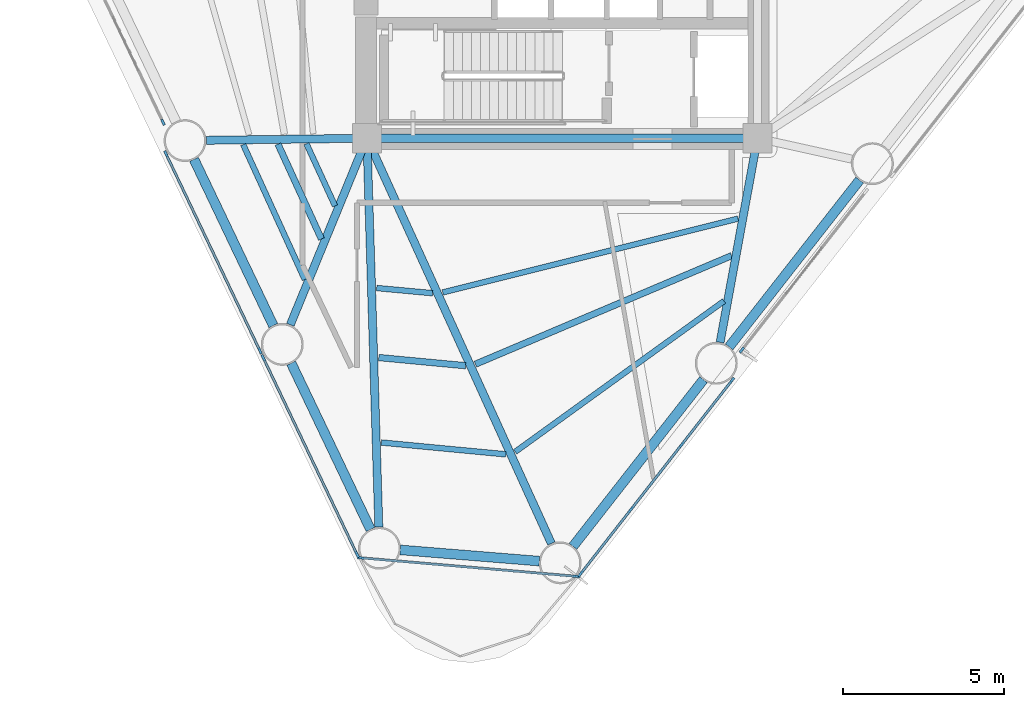
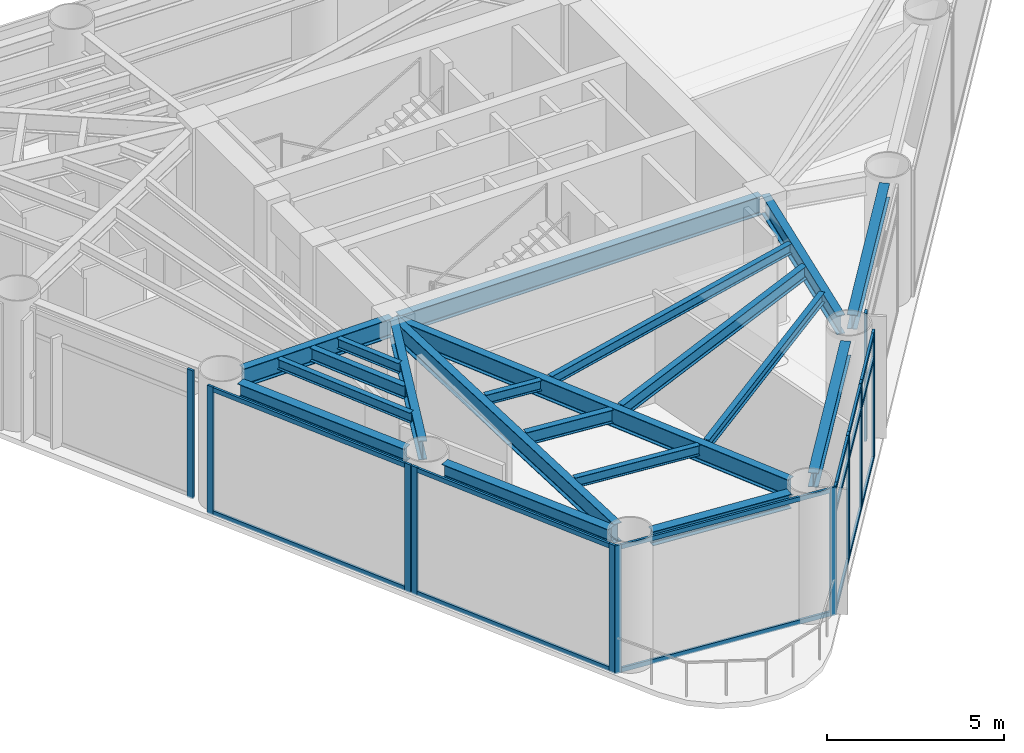
# One storey, part 2 of 11: 27 members, 20 beams, 6 elements without a shape of their own.
"""IFC4 building model written with IfcOpenShell, lengths in metres."""

from ifc_helpers import new_model, si_unit, direction, frame, origin, origin_2d, place, context, subcontext, project, spatial, rectangle, i_section, extrude, source, transform, mapped, material, layer, layer_set, material_profile, profile_set, type_object, element, aggregate, save


model = new_model("IFC4")

# Units and contexts
model_context = context("Model", 3, precision=1e-05, world=origin(), true_north=direction((0.0, 1.0)))
body_context = subcontext(model_context, "Body", "Model", "MODEL_VIEW")
ifc_project = project(units=[si_unit("LENGTHUNIT", "METRE"), si_unit("AREAUNIT", "SQUARE_METRE"), si_unit("VOLUMEUNIT", "CUBIC_METRE"), si_unit("PLANEANGLEUNIT", "RADIAN"), si_unit("MASSUNIT", "GRAM", prefix="KILO")], contexts=[model_context])

# Site, building, storey
site_placement = place(None, origin())
site = spatial("IfcSite", under=ifc_project, at=site_placement, CompositionType="ELEMENT")
building_placement = place(site_placement, origin())
building = spatial("IfcBuilding", under=site, at=building_placement, Name="Yunling Apex Tower", CompositionType="ELEMENT")
storey_placement = place(building_placement, frame((0.0, 0.0, 125.0)))
storey = spatial("IfcBuildingStorey", under=building, at=storey_placement, Name="L30", CompositionType="ELEMENT", Elevation=125.0)

# Beams
ifc_material_1 = material(Name="Steel Q355B", Category="steel")
ifc_material_profile_1 = material_profile(ifc_material_1, i_section(OverallWidth=0.25, OverallDepth=0.64990234375, WebThickness=0.011962890625, FlangeThickness=0.02001953125, FilletRadius=0.02392578125, at=origin_2d()))
ifc_profile_set_1 = profile_set([ifc_material_profile_1], Name="Steel Q355B")
beam_type_1 = type_object("IfcBeamType", Name="BG-PRI-4", PredefinedType="USERDEFINED", material=ifc_profile_set_1)
shared_shape_1 = source(origin(), body_context, "Body", "SweptSolid", [
    extrude(i_section(OverallWidth=0.25, OverallDepth=0.64990234375, WebThickness=0.011962890625, FlangeThickness=0.02001953125, FilletRadius=0.02392578125, at=origin_2d()), origin(), (0.0, 0.0, 1.0), 11.7998046875),
])
beam_1_placement = place(storey_placement, frame((-5.89990234375, -5.5, 3.9951171875), z_axis=(1.0, 0.0, 0.0), x_axis=(0.0, 1.0, 0.0)))
element("IfcBeam", 1, at=beam_1_placement, inside=storey, type_object=beam_type_1, Name="L30 Core Ring Tie Beam 1", ObjectType="GIRDER", PredefinedType="USERDEFINED", context=body_context, shape_type="MappedRepresentation", body=[
    mapped(shared_shape_1, transform((0.0, 0.0, 0.0), scale=1.0)),
])
ifc_material_profile_2 = material_profile(ifc_material_1, i_section(OverallWidth=0.300048828125, OverallDepth=0.489990234375, WebThickness=0.010986328125, FlangeThickness=0.01806640625, FilletRadius=0.02197265625, at=origin_2d()))
ifc_profile_set_2 = profile_set([ifc_material_profile_2], Name="Steel Q355B")
beam_type_2 = type_object("IfcBeamType", Name="BP-SPN-2", PredefinedType="SPANDREL", material=ifc_profile_set_2)
shared_shape_2 = source(origin(), body_context, "Body", "SweptSolid", [
    extrude(i_section(OverallWidth=0.300048828125, OverallDepth=0.489990234375, WebThickness=0.010986328125, FlangeThickness=0.01806640625, FilletRadius=0.02197265625, at=origin_2d()), origin(), (0.0, 0.0, 1.0), 6.562255859375),
])
for number, where, z_axis, x_axis, name in (
    (2, (0.332763671875, -18.147216796875, 4.074951171875), (0.616214963059, 0.787578008392, 0.0), (-0.787578008392, 0.616214963059, 0.0), "L30 Perimeter Spandrel Beam 1"),
    (3, (5.170166015625, -11.964599609375, 4.074951171875), (0.616214963059, 0.787578008392, 0.0), (-0.787578008392, 0.616214963059, 0.0), "L30 Perimeter Spandrel Beam 2"),
):
    element("IfcBeam", number, at=place(storey_placement, frame(where, z_axis=z_axis, x_axis=x_axis)), inside=storey, type_object=beam_type_2, Name=name, PredefinedType="SPANDREL", context=body_context, shape_type="MappedRepresentation", body=[
        mapped(shared_shape_2, transform((0.0, 0.0, 0.0), scale=1.0)),
    ])
shared_shape_3 = source(origin(), body_context, "Body", "SweptSolid", [
    extrude(i_section(OverallWidth=0.300048828125, OverallDepth=0.489990234375, WebThickness=0.010986328125, FlangeThickness=0.01806640625, FilletRadius=0.02197265625, at=origin_2d()), origin(), (0.0, 0.0, 1.0), 5.707763671875),
])
for number, where, z_axis, x_axis, name in (
    (4, (-11.407958984375, -6.15478515625, 4.074951171875), (0.430522919645, -0.902579645051, 0.0), (0.902579645051, 0.430522919645, 0.0), "L30 Perimeter Spandrel Beam 13"),
    (5, (-8.396240234375, -12.468994140625, 4.074951171875), (0.430522919645, -0.902579645051, 0.0), (0.902579645051, 0.430522919645, 0.0), "L30 Perimeter Spandrel Beam 14"),
):
    element("IfcBeam", number, at=place(storey_placement, frame(where, z_axis=z_axis, x_axis=x_axis)), inside=storey, type_object=beam_type_2, Name=name, PredefinedType="SPANDREL", context=body_context, shape_type="MappedRepresentation", body=[
        mapped(shared_shape_3, transform((0.0, 0.0, 0.0), scale=1.0)),
    ])
shared_shape_4 = source(origin(), body_context, "Body", "SweptSolid", [
    extrude(i_section(OverallWidth=0.300048828125, OverallDepth=0.489990234375, WebThickness=0.010986328125, FlangeThickness=0.01806640625, FilletRadius=0.02197265625, at=origin_2d()), origin(), (0.0, 0.0, 1.0), 4.328369140625),
])
beam_2_placement = place(storey_placement, frame((-5.02001953125, -18.25390625, 4.074951171875), z_axis=(0.996750747621, -0.08054779399, 0.0), x_axis=(0.08054779399, 0.996750747621, 0.0)))
element("IfcBeam", 6, at=beam_2_placement, inside=storey, type_object=beam_type_2, Name="L30 Perimeter Spandrel Beam 15", PredefinedType="SPANDREL", context=body_context, shape_type="MappedRepresentation", body=[
    mapped(shared_shape_4, transform((0.0, 0.0, 0.0), scale=1.0)),
])
shared_shape_5 = source(origin(), body_context, "Body", "SweptSolid", [
    extrude(i_section(OverallWidth=0.25, OverallDepth=0.64990234375, WebThickness=0.011962890625, FlangeThickness=0.02001953125, FilletRadius=0.02392578125, at=origin_2d()), origin(), (0.0, 0.0, 1.0), 13.714599609375),
])
beam_3_placement = place(storey_placement, frame((-0.33642578125, -18.0556640625, 3.9951171875), z_axis=(-0.414187834577, 0.910191429145, 0.0), x_axis=(-0.910191429145, -0.414187834577, 0.0)))
element("IfcBeam", 7, at=beam_3_placement, inside=storey, type_object=beam_type_1, Name="L30 Radial Primary Girder R01", ObjectType="GIRDER", PredefinedType="USERDEFINED", context=body_context, shape_type="MappedRepresentation", body=[
    mapped(shared_shape_5, transform((0.0, 0.0, 0.0), scale=1.0)),
])
shared_shape_6 = source(origin(), body_context, "Body", "SweptSolid", [
    extrude(i_section(OverallWidth=0.25, OverallDepth=0.64990234375, WebThickness=0.011962890625, FlangeThickness=0.02001953125, FilletRadius=0.02392578125, at=origin_2d()), origin(), (0.0, 0.0, 1.0), 6.349853515625),
])
beam_4_placement = place(storey_placement, frame((4.891845703125, -11.82470703125, 3.9951171875), z_axis=(0.18012699938, 0.983643362248, 0.0), x_axis=(-0.983643362248, 0.18012699938, 0.0)))
element("IfcBeam", 8, at=beam_4_placement, inside=storey, type_object=beam_type_1, Name="L30 Radial Primary Girder R02", ObjectType="GIRDER", PredefinedType="USERDEFINED", context=body_context, shape_type="MappedRepresentation", body=[
    mapped(shared_shape_6, transform((0.0, 0.0, 0.0), scale=1.0)),
])
shared_shape_7 = source(origin(), body_context, "Body", "SweptSolid", [
    extrude(i_section(OverallWidth=0.25, OverallDepth=0.64990234375, WebThickness=0.011962890625, FlangeThickness=0.02001953125, FilletRadius=0.02392578125, at=origin_2d()), origin(), (0.0, 0.0, 1.0), 4.89794921875),
])
beam_5_placement = place(storey_placement, frame((-11.02734375, -5.56494140625, 3.9951171875), z_axis=(0.999914718433, 0.0130597037, 0.0), x_axis=(-0.0130597037, 0.999914718433, 0.0)))
element("IfcBeam", 9, at=beam_5_placement, inside=storey, type_object=beam_type_1, Name="L30 Radial Primary Girder R13", ObjectType="GIRDER", PredefinedType="USERDEFINED", context=body_context, shape_type="MappedRepresentation", body=[
    mapped(shared_shape_7, transform((0.0, 0.0, 0.0), scale=1.0)),
])
shared_shape_8 = source(origin(), body_context, "Body", "SweptSolid", [
    extrude(i_section(OverallWidth=0.25, OverallDepth=0.64990234375, WebThickness=0.011962890625, FlangeThickness=0.02001953125, FilletRadius=0.02392578125, at=origin_2d()), origin(), (0.0, 0.0, 1.0), 6.16748046875),
])
beam_6_placement = place(storey_placement, frame((-8.423583984375, -11.279052734375, 3.9951171875), z_axis=(0.379933370098, 0.925013856267, 0.0), x_axis=(-0.925013856267, 0.379933370098, 0.0)))
element("IfcBeam", 10, at=beam_6_placement, inside=storey, type_object=beam_type_1, Name="L30 Radial Primary Girder R14", ObjectType="GIRDER", PredefinedType="USERDEFINED", context=body_context, shape_type="MappedRepresentation", body=[
    mapped(shared_shape_8, transform((0.0, 0.0, 0.0), scale=1.0)),
])
shared_shape_9 = source(origin(), body_context, "Body", "SweptSolid", [
    extrude(i_section(OverallWidth=0.25, OverallDepth=0.64990234375, WebThickness=0.011962890625, FlangeThickness=0.02001953125, FilletRadius=0.02392578125, at=origin_2d()), origin(), (0.0, 0.0, 1.0), 11.9697265625),
])
beam_7_placement = place(storey_placement, frame((-5.681884765625, -17.544189453125, 3.9951171875), z_axis=(-0.030554037514, 0.999533116406, 0.0), x_axis=(-0.999533116406, -0.030554037514, 0.0)))
element("IfcBeam", 11, at=beam_7_placement, inside=storey, type_object=beam_type_1, Name="L30 Radial Primary Girder R15", ObjectType="GIRDER", PredefinedType="USERDEFINED", context=body_context, shape_type="MappedRepresentation", body=[
    mapped(shared_shape_9, transform((0.0, 0.0, 0.0), scale=1.0)),
])
ifc_material_profile_3 = material_profile(ifc_material_1, i_section(OverallWidth=0.199951171875, OverallDepth=0.449951171875, WebThickness=0.009033203125, FlangeThickness=0.013916015625, FilletRadius=0.01806640625, at=origin_2d()))
ifc_profile_set_3 = profile_set([ifc_material_profile_3], Name="Steel Q355B")
beam_type_3 = type_object("IfcBeamType", Name="BS-SEC-3", PredefinedType="BEAM", material=ifc_profile_set_3)
shared_shape_10 = source(origin(), body_context, "Body", "SweptSolid", [
    extrude(i_section(OverallWidth=0.199951171875, OverallDepth=0.449951171875, WebThickness=0.009033203125, FlangeThickness=0.013916015625, FilletRadius=0.01806640625, at=origin_2d()), origin(), (0.0, 0.0, 1.0), 8.618896484375),
])
beam_8_placement = place(storey_placement, frame((-2.6884765625, -12.500732421875, 4.094970703125), z_axis=(0.920793969751, 0.390049311332, 0.0), x_axis=(-0.390049311332, 0.920793969751, 0.0)))
element("IfcBeam", 12, at=beam_8_placement, inside=storey, type_object=beam_type_3, Name="L30 Composite Floor Beam BS-1", PredefinedType="BEAM", context=body_context, shape_type="MappedRepresentation", body=[
    mapped(shared_shape_10, transform((0.0, 0.0, 0.0), scale=1.0)),
])
ifc_material_profile_4 = material_profile(ifc_material_1, i_section(OverallWidth=0.175048828125, OverallDepth=0.35009765625, WebThickness=0.007080078125, FlangeThickness=0.010986328125, FilletRadius=0.013916015625, at=origin_2d()))
ifc_profile_set_4 = profile_set([ifc_material_profile_4], Name="Steel Q355B")
beam_type_4 = type_object("IfcBeamType", Name="BJ-JST-1", PredefinedType="JOIST", material=ifc_profile_set_4)
shared_shape_11 = source(origin(), body_context, "Body", "SweptSolid", [
    extrude(i_section(OverallWidth=0.175048828125, OverallDepth=0.35009765625, WebThickness=0.007080078125, FlangeThickness=0.010986328125, FilletRadius=0.013916015625, at=origin_2d()), origin(), (0.0, 0.0, 1.0), 7.98046875),
])
beam_9_placement = place(storey_placement, frame((-1.45654296875, -15.2158203125, 4.14501953125), z_axis=(0.81075666384, 0.585383320602, 0.0), x_axis=(-0.585383320602, 0.81075666384, 0.0)))
element("IfcBeam", 13, at=beam_9_placement, inside=storey, type_object=beam_type_4, Name="L30 Composite Floor Joist BJ1-1", PredefinedType="JOIST", context=body_context, shape_type="MappedRepresentation", body=[
    mapped(shared_shape_11, transform((0.0, 0.0, 0.0), scale=1.0)),
])
shared_shape_12 = source(origin(), body_context, "Body", "SweptSolid", [
    extrude(i_section(OverallWidth=0.175048828125, OverallDepth=0.35009765625, WebThickness=0.007080078125, FlangeThickness=0.010986328125, FilletRadius=0.013916015625, at=origin_2d()), origin(), (0.0, 0.0, 1.0), 9.430419921875),
])
beam_10_placement = place(storey_placement, frame((-3.703125, -10.277587890625, 4.14501953125), z_axis=(0.970157726952, 0.242474709682, 0.0), x_axis=(-0.242474709682, 0.970157726952, 0.0)))
element("IfcBeam", 14, at=beam_10_placement, inside=storey, type_object=beam_type_4, Name="L30 Composite Floor Joist BJ3-1", PredefinedType="JOIST", context=body_context, shape_type="MappedRepresentation", body=[
    mapped(shared_shape_12, transform((0.0, 0.0, 0.0), scale=1.0)),
])
shared_shape_13 = source(origin(), body_context, "Body", "SweptSolid", [
    extrude(i_section(OverallWidth=0.199951171875, OverallDepth=0.449951171875, WebThickness=0.009033203125, FlangeThickness=0.013916015625, FilletRadius=0.01806640625, at=origin_2d()), origin(), (0.0, 0.0, 1.0), 3.234619140625),
])
beam_11_placement = place(storey_placement, frame((-8.805908203125, -5.682373046875, 4.094970703125), z_axis=(0.416337611841, -0.909210092864, 0.0), x_axis=(0.909210092864, 0.416337611841, 0.0)))
element("IfcBeam", 15, at=beam_11_placement, inside=storey, type_object=beam_type_3, Name="L30 Composite Floor Beam BS-13", PredefinedType="BEAM", context=body_context, shape_type="MappedRepresentation", body=[
    mapped(shared_shape_13, transform((0.0, 0.0, 0.0), scale=1.0)),
])
shared_shape_14 = source(origin(), body_context, "Body", "SweptSolid", [
    extrude(i_section(OverallWidth=0.175048828125, OverallDepth=0.35009765625, WebThickness=0.007080078125, FlangeThickness=0.010986328125, FilletRadius=0.013916015625, at=origin_2d()), origin(), (0.0, 0.0, 1.0), 4.596923828125),
])
beam_12_placement = place(storey_placement, frame((-9.883544921875, -5.696533203125, 4.14501953125), z_axis=(0.415258909569, -0.909703269217, 0.0), x_axis=(0.909703269217, 0.415258909569, 0.0)))
element("IfcBeam", 16, at=beam_12_placement, inside=storey, type_object=beam_type_4, Name="L30 Composite Floor Joist BJ1-13", PredefinedType="JOIST", context=body_context, shape_type="MappedRepresentation", body=[
    mapped(shared_shape_14, transform((0.0, 0.0, 0.0), scale=1.0)),
])
shared_shape_15 = source(origin(), body_context, "Body", "SweptSolid", [
    extrude(i_section(OverallWidth=0.175048828125, OverallDepth=0.35009765625, WebThickness=0.007080078125, FlangeThickness=0.010986328125, FilletRadius=0.013916015625, at=origin_2d()), origin(), (0.0, 0.0, 1.0), 2.1201171875),
])
beam_13_placement = place(storey_placement, frame((-7.924072265625, -5.670654296875, 4.14501953125), z_axis=(0.418101376265, -0.908400373825, 0.0), x_axis=(0.908400373825, 0.418101376265, 0.0)))
element("IfcBeam", 17, at=beam_13_placement, inside=storey, type_object=beam_type_4, Name="L30 Composite Floor Joist BJ3-13", PredefinedType="JOIST", context=body_context, shape_type="MappedRepresentation", body=[
    mapped(shared_shape_15, transform((0.0, 0.0, 0.0), scale=1.0)),
])
shared_shape_16 = source(origin(), body_context, "Body", "SweptSolid", [
    extrude(i_section(OverallWidth=0.199951171875, OverallDepth=0.449951171875, WebThickness=0.009033203125, FlangeThickness=0.013916015625, FilletRadius=0.01806640625, at=origin_2d()), origin(), (0.0, 0.0, 1.0), 2.700439453125),
])
beam_14_placement = place(storey_placement, frame((-5.68359375, -12.294921875, 4.094970703125), z_axis=(0.995595280091, -0.09375520391, 0.0), x_axis=(0.09375520391, 0.995595280091, 0.0)))
element("IfcBeam", 18, at=beam_14_placement, inside=storey, type_object=beam_type_3, Name="L30 Composite Floor Beam BS-15", PredefinedType="BEAM", context=body_context, shape_type="MappedRepresentation", body=[
    mapped(shared_shape_16, transform((0.0, 0.0, 0.0), scale=1.0)),
])
shared_shape_17 = source(origin(), body_context, "Body", "SweptSolid", [
    extrude(i_section(OverallWidth=0.175048828125, OverallDepth=0.35009765625, WebThickness=0.007080078125, FlangeThickness=0.010986328125, FilletRadius=0.013916015625, at=origin_2d()), origin(), (0.0, 0.0, 1.0), 3.874755859375),
])
beam_15_placement = place(storey_placement, frame((-5.60302734375, -14.92724609375, 4.14501953125), z_axis=(0.995505944035, -0.094699078094, 0.0), x_axis=(0.094699078094, 0.995505944035, 0.0)))
element("IfcBeam", 19, at=beam_15_placement, inside=storey, type_object=beam_type_4, Name="L30 Composite Floor Joist BJ1-15", PredefinedType="JOIST", context=body_context, shape_type="MappedRepresentation", body=[
    mapped(shared_shape_17, transform((0.0, 0.0, 0.0), scale=1.0)),
])
shared_shape_18 = source(origin(), body_context, "Body", "SweptSolid", [
    extrude(i_section(OverallWidth=0.175048828125, OverallDepth=0.35009765625, WebThickness=0.007080078125, FlangeThickness=0.010986328125, FilletRadius=0.013916015625, at=origin_2d()), origin(), (0.0, 0.0, 1.0), 1.739013671875),
])
beam_16_placement = place(storey_placement, frame((-5.749267578125, -10.14111328125, 4.14501953125), z_axis=(0.995737570839, -0.092231719166, 0.0), x_axis=(0.092231719166, 0.995737570839, 0.0)))
element("IfcBeam", 20, at=beam_16_placement, inside=storey, type_object=beam_type_4, Name="L30 Composite Floor Joist BJ3-15", PredefinedType="JOIST", context=body_context, shape_type="MappedRepresentation", body=[
    mapped(shared_shape_18, transform((0.0, 0.0, 0.0), scale=1.0)),
])

# Curtain wall, members
ifc_material_2 = material(Name="Bronze anodised aluminium", Category="aluminium")
ifc_layer = layer(ifc_material_2, 0.199951171875)
ifc_layer_set = layer_set([ifc_layer], Name="Bronze anodised aluminium")
curtain_wall_type = type_object("IfcCurtainWallType", Name="CW-SYS-5", PredefinedType="NOTDEFINED", material=ifc_layer_set)
curtain_wall_1_placement = place(storey_placement, origin())
curtain_wall_1 = element("IfcCurtainWall", 21, at=curtain_wall_1_placement, inside=storey, type_object=curtain_wall_type, Name="CW-L30-F1-B1", PredefinedType="NOTDEFINED")
ifc_material_profile_5 = material_profile(ifc_material_2, rectangle(XDim=0.074951171875, YDim=0.199951171875, at=origin_2d()))
ifc_profile_set_5 = profile_set([ifc_material_profile_5], Name="Bronze anodised aluminium")
member_type_1 = type_object("IfcMemberType", Name="CW-MUL-5", PredefinedType="MULLION", material=ifc_profile_set_5)
shared_shape_19 = source(origin(), body_context, "Body", "SweptSolid", [
    extrude(rectangle(XDim=0.074951171875, YDim=0.199951171875, at=origin_2d()), origin(), (0.0, 0.0, 1.0), 4.420166015625),
])
member_1_placement = place(storey_placement, frame((0.567626953125, -18.99951171875, -0.050048828125), z_axis=(0.0, 0.0, 1.0), x_axis=(-0.787583748686, 0.616207626377, 0.0)))
member_1 = element("IfcMember", 22, at=member_1_placement, type_object=member_type_1, Name="CW-SYS-5 mullion 1", PredefinedType="MULLION", context=body_context, shape_type="MappedRepresentation", body=[
    mapped(shared_shape_19, transform((0.0, 0.0, 0.0), scale=1.0)),
])
member_2_placement = place(storey_placement, frame((2.1240234375, -17.01025390625, -0.050048828125), z_axis=(0.0, 0.0, 1.0), x_axis=(-0.787583748686, 0.616207626377, 0.0)))
member_2 = element("IfcMember", 23, at=member_2_placement, type_object=member_type_1, Name="CW-SYS-5 mullion 2", PredefinedType="MULLION", context=body_context, shape_type="MappedRepresentation", body=[
    mapped(shared_shape_19, transform((0.0, 0.0, 0.0), scale=1.0)),
])
member_3_placement = place(storey_placement, frame((3.70361328125, -14.9912109375, -0.050048828125), z_axis=(0.0, 0.0, 1.0), x_axis=(-0.787583748686, 0.616207626377, 0.0)))
member_3 = element("IfcMember", 24, at=member_3_placement, type_object=member_type_1, Name="CW-SYS-5 mullion 3", PredefinedType="MULLION", context=body_context, shape_type="MappedRepresentation", body=[
    mapped(shared_shape_19, transform((0.0, 0.0, 0.0), scale=1.0)),
])
member_4_placement = place(storey_placement, frame((5.260009765625, -13.001953125, -0.050048828125), z_axis=(0.0, 0.0, 1.0), x_axis=(-0.787583748686, 0.616207626377, 0.0)))
member_4 = element("IfcMember", 25, at=member_4_placement, type_object=member_type_1, Name="CW-SYS-5 mullion 4", PredefinedType="MULLION", context=body_context, shape_type="MappedRepresentation", body=[
    mapped(shared_shape_19, transform((0.0, 0.0, 0.0), scale=1.0)),
])

# Curtain wall, member
curtain_wall_2_placement = place(storey_placement, origin())
curtain_wall_2 = element("IfcCurtainWall", 26, at=curtain_wall_2_placement, inside=storey, type_object=curtain_wall_type, Name="CW-L30-F1-B2", PredefinedType="NOTDEFINED")
member_5_placement = place(storey_placement, frame((5.562255859375, -12.06396484375, -0.050048828125), z_axis=(0.0, 0.0, 1.0), x_axis=(-0.787590269126, 0.616199292419, 0.0)))
member_5 = element("IfcMember", 27, at=member_5_placement, type_object=member_type_1, Name="CW-SYS-5 mullion 1", PredefinedType="MULLION", context=body_context, shape_type="MappedRepresentation", body=[
    mapped(shared_shape_19, transform((0.0, 0.0, 0.0), scale=1.0)),
])
aggregate(curtain_wall_2, [member_5])

curtain_wall_3_placement = place(storey_placement, origin())
curtain_wall_3 = element("IfcCurtainWall", 28, at=curtain_wall_3_placement, inside=storey, type_object=curtain_wall_type, Name="CW-L30-F3-B2", PredefinedType="NOTDEFINED")
member_6_placement = place(storey_placement, frame((-12.36669921875, -5.004150390625, -0.050048828125), z_axis=(0.0, 0.0, 1.0), x_axis=(0.902579794247, 0.430522606859, 0.0)))
member_6 = element("IfcMember", 29, at=member_6_placement, type_object=member_type_1, Name="CW-SYS-5 mullion 2", PredefinedType="MULLION", context=body_context, shape_type="MappedRepresentation", body=[
    mapped(shared_shape_19, transform((0.0, 0.0, 0.0), scale=1.0)),
])
aggregate(curtain_wall_3, [member_6])

# Curtain wall, members
curtain_wall_4_placement = place(storey_placement, origin())
curtain_wall_4 = element("IfcCurtainWall", 30, at=curtain_wall_4_placement, inside=storey, type_object=curtain_wall_type, Name="CW-L30-F3-B3", PredefinedType="NOTDEFINED")
member_7_placement = place(storey_placement, frame((-12.275390625, -5.9853515625, -0.050048828125), z_axis=(0.0, 0.0, 1.0), x_axis=(0.902593449526, 0.430493977743, 0.0)))
member_7 = element("IfcMember", 31, at=member_7_placement, type_object=member_type_1, Name="CW-SYS-5 mullion 1", PredefinedType="MULLION", context=body_context, shape_type="MappedRepresentation", body=[
    mapped(shared_shape_19, transform((0.0, 0.0, 0.0), scale=1.0)),
])
member_8_placement = place(storey_placement, frame((-9.364990234375, -12.08740234375, -0.050048828125), z_axis=(0.0, 0.0, 1.0), x_axis=(0.902593449526, 0.430493977743, 0.0)))
member_8 = element("IfcMember", 32, at=member_8_placement, type_object=member_type_1, Name="CW-SYS-5 mullion 2", PredefinedType="MULLION", context=body_context, shape_type="MappedRepresentation", body=[
    mapped(shared_shape_19, transform((0.0, 0.0, 0.0), scale=1.0)),
])

curtain_wall_5_placement = place(storey_placement, origin())
curtain_wall_5 = element("IfcCurtainWall", 33, at=curtain_wall_5_placement, inside=storey, type_object=curtain_wall_type, Name="CW-L30-F3-B4", PredefinedType="NOTDEFINED")
member_9_placement = place(storey_placement, frame((-9.263671875, -12.299560546875, -0.050048828125), z_axis=(0.0, 0.0, 1.0), x_axis=(0.902585053788, 0.430511580192, 0.0)))
member_9 = element("IfcMember", 34, at=member_9_placement, type_object=member_type_1, Name="CW-SYS-5 mullion 1", PredefinedType="MULLION", context=body_context, shape_type="MappedRepresentation", body=[
    mapped(shared_shape_19, transform((0.0, 0.0, 0.0), scale=1.0)),
])
member_10_placement = place(storey_placement, frame((-6.353271484375, -18.4013671875, -0.050048828125), z_axis=(0.0, 0.0, 1.0), x_axis=(0.902585053788, 0.430511580192, 0.0)))
member_10 = element("IfcMember", 35, at=member_10_placement, type_object=member_type_1, Name="CW-SYS-5 mullion 2", PredefinedType="MULLION", context=body_context, shape_type="MappedRepresentation", body=[
    mapped(shared_shape_19, transform((0.0, 0.0, 0.0), scale=1.0)),
])

curtain_wall_6_placement = place(storey_placement, origin())
curtain_wall_6 = element("IfcCurtainWall", 36, at=curtain_wall_6_placement, inside=storey, type_object=curtain_wall_type, Name="CW-L30-CRN3", PredefinedType="NOTDEFINED")
member_11_placement = place(storey_placement, frame((-6.247314453125, -18.502197265625, -0.050048828125), z_axis=(0.0, 0.0, 1.0), x_axis=(0.085550287883, 0.996333853808, 0.0)))
member_11 = element("IfcMember", 37, at=member_11_placement, type_object=member_type_1, Name="CW-SYS-5 mullion 1", PredefinedType="MULLION", context=body_context, shape_type="MappedRepresentation", body=[
    mapped(shared_shape_19, transform((0.0, 0.0, 0.0), scale=1.0)),
])
member_12_placement = place(storey_placement, frame((0.442138671875, -19.076416015625, -0.050048828125), z_axis=(0.0, 0.0, 1.0), x_axis=(0.085550287883, 0.996333853808, 0.0)))
member_12 = element("IfcMember", 38, at=member_12_placement, type_object=member_type_1, Name="CW-SYS-5 mullion 2", PredefinedType="MULLION", context=body_context, shape_type="MappedRepresentation", body=[
    mapped(shared_shape_19, transform((0.0, 0.0, 0.0), scale=1.0)),
])

# Member
ifc_material_profile_6 = material_profile(ifc_material_2, rectangle(XDim=0.074951171875, YDim=0.155029296875, at=origin_2d()))
ifc_profile_set_6 = profile_set([ifc_material_profile_6], Name="Bronze anodised aluminium")
member_type_2 = type_object("IfcMemberType", Name="CW-TRN-5", PredefinedType="USERDEFINED", material=ifc_profile_set_6)
shared_shape_20 = source(origin(), body_context, "Body", "SweptSolid", [
    extrude(rectangle(XDim=0.074951171875, YDim=0.155029296875, at=origin_2d()), origin(), (0.0, 0.0, 1.0), 2.45849609375),
])
member_13_placement = place(storey_placement, frame((0.58837890625, -18.972900390625, 0.03759765625), z_axis=(0.616193116107, 0.787595101345, 0.0), x_axis=(-0.787595101345, 0.616193116107, 0.0)))
member_13 = element("IfcMember", 39, at=member_13_placement, type_object=member_type_2, Name="CW-SYS-5 transom 1.1", ObjectType="TRANSOM", PredefinedType="USERDEFINED", context=body_context, shape_type="MappedRepresentation", body=[
    mapped(shared_shape_20, transform((0.0, 0.0, 0.0), scale=1.0)),
])

member_14_placement = place(storey_placement, frame((0.58837890625, -18.972900390625, 3.469970703125), z_axis=(0.616193116107, 0.787595101345, 0.0), x_axis=(-0.787595101345, 0.616193116107, 0.0)))
member_14 = element("IfcMember", 40, at=member_14_placement, type_object=member_type_2, Name="CW-SYS-5 transom 1.2", ObjectType="TRANSOM", PredefinedType="USERDEFINED", context=body_context, shape_type="MappedRepresentation", body=[
    mapped(shared_shape_20, transform((0.0, 0.0, 0.0), scale=1.0)),
])

member_15_placement = place(storey_placement, frame((0.58837890625, -18.972900390625, 4.282470703125), z_axis=(0.616193116107, 0.787595101345, 0.0), x_axis=(-0.787595101345, 0.616193116107, 0.0)))
member_15 = element("IfcMember", 41, at=member_15_placement, type_object=member_type_2, Name="CW-SYS-5 transom 1.3", ObjectType="TRANSOM", PredefinedType="USERDEFINED", context=body_context, shape_type="MappedRepresentation", body=[
    mapped(shared_shape_20, transform((0.0, 0.0, 0.0), scale=1.0)),
])

shared_shape_21 = source(origin(), body_context, "Body", "SweptSolid", [
    extrude(rectangle(XDim=0.074951171875, YDim=0.155029296875, at=origin_2d()), origin(), (0.0, 0.0, 1.0), 2.49609375),
])
member_16_placement = place(storey_placement, frame((2.144775390625, -16.983642578125, 0.03759765625), z_axis=(0.616213312237, 0.787579300021, 0.0), x_axis=(-0.787579300021, 0.616213312237, 0.0)))
member_16 = element("IfcMember", 42, at=member_16_placement, type_object=member_type_2, Name="CW-SYS-5 transom 2.1", ObjectType="TRANSOM", PredefinedType="USERDEFINED", context=body_context, shape_type="MappedRepresentation", body=[
    mapped(shared_shape_21, transform((0.0, 0.0, 0.0), scale=1.0)),
])

member_17_placement = place(storey_placement, frame((2.144775390625, -16.983642578125, 3.469970703125), z_axis=(0.616213312237, 0.787579300021, 0.0), x_axis=(-0.787579300021, 0.616213312237, 0.0)))
member_17 = element("IfcMember", 43, at=member_17_placement, type_object=member_type_2, Name="CW-SYS-5 transom 2.2", ObjectType="TRANSOM", PredefinedType="USERDEFINED", context=body_context, shape_type="MappedRepresentation", body=[
    mapped(shared_shape_21, transform((0.0, 0.0, 0.0), scale=1.0)),
])

member_18_placement = place(storey_placement, frame((2.144775390625, -16.983642578125, 4.282470703125), z_axis=(0.616213312237, 0.787579300021, 0.0), x_axis=(-0.787579300021, 0.616213312237, 0.0)))
member_18 = element("IfcMember", 44, at=member_18_placement, type_object=member_type_2, Name="CW-SYS-5 transom 2.3", ObjectType="TRANSOM", PredefinedType="USERDEFINED", context=body_context, shape_type="MappedRepresentation", body=[
    mapped(shared_shape_21, transform((0.0, 0.0, 0.0), scale=1.0)),
])

shared_shape_22 = source(origin(), body_context, "Body", "SweptSolid", [
    extrude(rectangle(XDim=0.074951171875, YDim=0.155029296875, at=origin_2d()), origin(), (0.0, 0.0, 1.0), 2.458251953125),
])
member_19_placement = place(storey_placement, frame((3.724365234375, -14.964599609375, 0.03759765625), z_axis=(0.616241312937, 0.78755739107, 0.0), x_axis=(-0.78755739107, 0.616241312937, 0.0)))
member_19 = element("IfcMember", 45, at=member_19_placement, type_object=member_type_2, Name="CW-SYS-5 transom 3.1", ObjectType="TRANSOM", PredefinedType="USERDEFINED", context=body_context, shape_type="MappedRepresentation", body=[
    mapped(shared_shape_22, transform((0.0, 0.0, 0.0), scale=1.0)),
])

member_20_placement = place(storey_placement, frame((3.724365234375, -14.964599609375, 3.469970703125), z_axis=(0.616241312937, 0.78755739107, 0.0), x_axis=(-0.78755739107, 0.616241312937, 0.0)))
member_20 = element("IfcMember", 46, at=member_20_placement, type_object=member_type_2, Name="CW-SYS-5 transom 3.2", ObjectType="TRANSOM", PredefinedType="USERDEFINED", context=body_context, shape_type="MappedRepresentation", body=[
    mapped(shared_shape_22, transform((0.0, 0.0, 0.0), scale=1.0)),
])

member_21_placement = place(storey_placement, frame((3.724365234375, -14.964599609375, 4.282470703125), z_axis=(0.616241312937, 0.78755739107, 0.0), x_axis=(-0.78755739107, 0.616241312937, 0.0)))
member_21 = element("IfcMember", 47, at=member_21_placement, type_object=member_type_2, Name="CW-SYS-5 transom 3.3", ObjectType="TRANSOM", PredefinedType="USERDEFINED", context=body_context, shape_type="MappedRepresentation", body=[
    mapped(shared_shape_22, transform((0.0, 0.0, 0.0), scale=1.0)),
])

aggregate(curtain_wall_1, [member_1, member_2, member_3, member_4, member_13, member_14, member_15, member_16, member_17, member_18, member_19, member_20, member_21])

shared_shape_23 = source(origin(), body_context, "Body", "SweptSolid", [
    extrude(rectangle(XDim=0.074951171875, YDim=0.155029296875, at=origin_2d()), origin(), (0.0, 0.0, 1.0), 6.693115234375),
])
member_22_placement = place(storey_placement, frame((-12.2607421875, -6.015625, 0.03759765625), z_axis=(0.430488526099, -0.90259604968, 0.0), x_axis=(0.90259604968, 0.430488526099, 0.0)))
member_22 = element("IfcMember", 48, at=member_22_placement, type_object=member_type_2, Name="CW-SYS-5 transom 1.1", ObjectType="TRANSOM", PredefinedType="USERDEFINED", context=body_context, shape_type="MappedRepresentation", body=[
    mapped(shared_shape_23, transform((0.0, 0.0, 0.0), scale=1.0)),
])

member_23_placement = place(storey_placement, frame((-12.2607421875, -6.015625, 4.282470703125), z_axis=(0.430488526099, -0.90259604968, 0.0), x_axis=(0.90259604968, 0.430488526099, 0.0)))
member_23 = element("IfcMember", 49, at=member_23_placement, type_object=member_type_2, Name="CW-SYS-5 transom 1.2", ObjectType="TRANSOM", PredefinedType="USERDEFINED", context=body_context, shape_type="MappedRepresentation", body=[
    mapped(shared_shape_23, transform((0.0, 0.0, 0.0), scale=1.0)),
])

aggregate(curtain_wall_4, [member_7, member_8, member_22, member_23])

shared_shape_24 = source(origin(), body_context, "Body", "SweptSolid", [
    extrude(rectangle(XDim=0.074951171875, YDim=0.155029296875, at=origin_2d()), origin(), (0.0, 0.0, 1.0), 6.693359375),
])
member_24_placement = place(storey_placement, frame((-9.249267578125, -12.329833984375, 0.03759765625), z_axis=(0.430518241569, -0.902581876439, 0.0), x_axis=(0.902581876439, 0.430518241569, 0.0)))
member_24 = element("IfcMember", 50, at=member_24_placement, type_object=member_type_2, Name="CW-SYS-5 transom 1.1", ObjectType="TRANSOM", PredefinedType="USERDEFINED", context=body_context, shape_type="MappedRepresentation", body=[
    mapped(shared_shape_24, transform((0.0, 0.0, 0.0), scale=1.0)),
])

member_25_placement = place(storey_placement, frame((-9.249267578125, -12.329833984375, 4.282470703125), z_axis=(0.430518241569, -0.902581876439, 0.0), x_axis=(0.902581876439, 0.430518241569, 0.0)))
member_25 = element("IfcMember", 51, at=member_25_placement, type_object=member_type_2, Name="CW-SYS-5 transom 1.2", ObjectType="TRANSOM", PredefinedType="USERDEFINED", context=body_context, shape_type="MappedRepresentation", body=[
    mapped(shared_shape_24, transform((0.0, 0.0, 0.0), scale=1.0)),
])

aggregate(curtain_wall_5, [member_9, member_10, member_24, member_25])

shared_shape_25 = source(origin(), body_context, "Body", "SweptSolid", [
    extrude(rectangle(XDim=0.074951171875, YDim=0.155029296875, at=origin_2d()), origin(), (0.0, 0.0, 1.0), 6.646484375),
])
member_26_placement = place(storey_placement, frame((-6.213623046875, -18.5048828125, 0.03759765625), z_axis=(0.996333867833, -0.085550124546, 0.0), x_axis=(0.085550124546, 0.996333867833, 0.0)))
member_26 = element("IfcMember", 52, at=member_26_placement, type_object=member_type_2, Name="CW-SYS-5 transom 1.1", ObjectType="TRANSOM", PredefinedType="USERDEFINED", context=body_context, shape_type="MappedRepresentation", body=[
    mapped(shared_shape_25, transform((0.0, 0.0, 0.0), scale=1.0)),
])

member_27_placement = place(storey_placement, frame((-6.213623046875, -18.5048828125, 4.282470703125), z_axis=(0.996333867833, -0.085550124546, 0.0), x_axis=(0.085550124546, 0.996333867833, 0.0)))
member_27 = element("IfcMember", 53, at=member_27_placement, type_object=member_type_2, Name="CW-SYS-5 transom 1.2", ObjectType="TRANSOM", PredefinedType="USERDEFINED", context=body_context, shape_type="MappedRepresentation", body=[
    mapped(shared_shape_25, transform((0.0, 0.0, 0.0), scale=1.0)),
])

aggregate(curtain_wall_6, [member_11, member_12, member_26, member_27])

save(model, "model.ifc")
